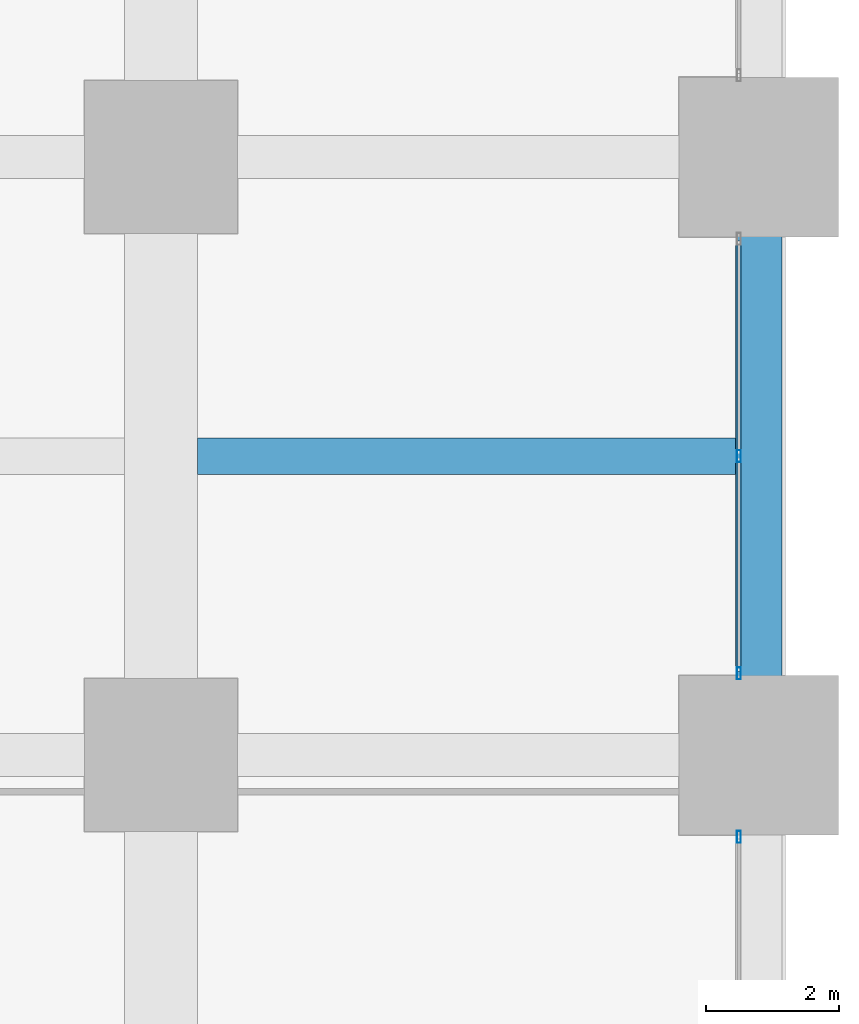
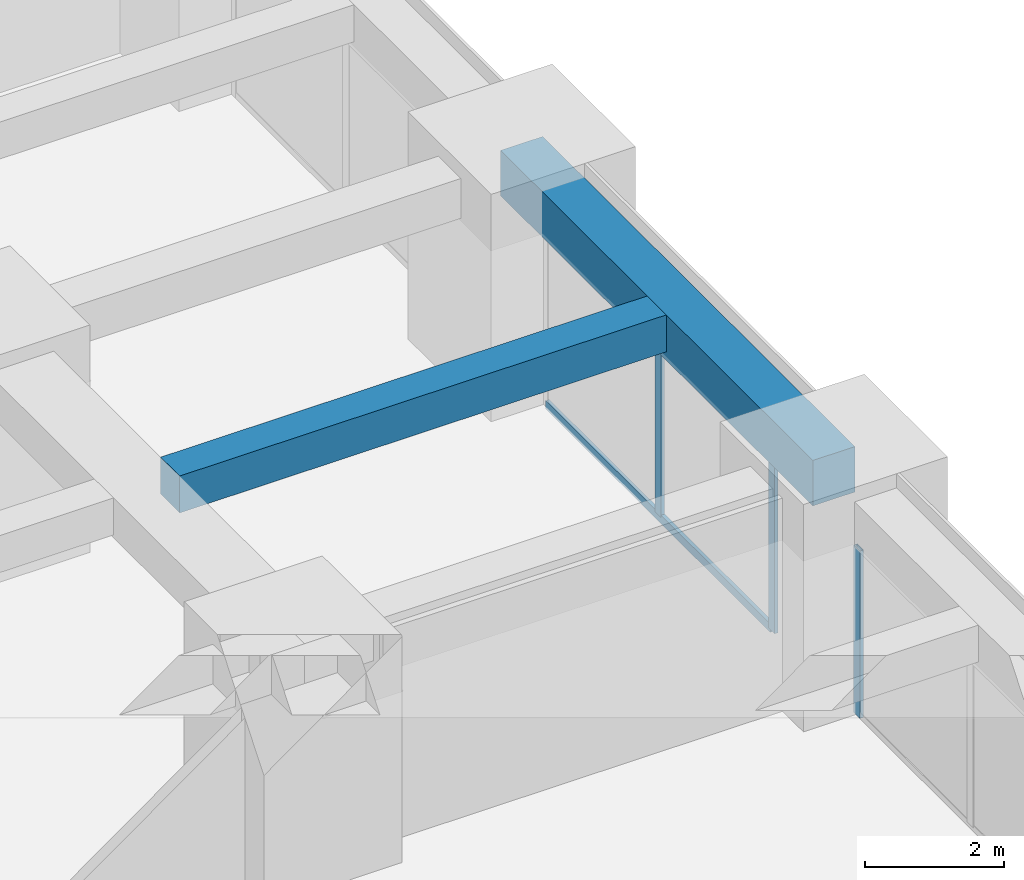
# One storey, part 20 of 44: 4 members, 2 beams, 2 elements without a shape of their own.
"""IFC4 building model written with IfcOpenShell, lengths in metres."""

from ifc_helpers import new_model, si_unit, direction, frame, origin, origin_2d, place, context, subcontext, project, spatial, rectangle, hollow_rectangle, extrude, material, material_profile, profile_set, type_object, element, aggregate, save


model = new_model("IFC4")

# Units and contexts
model_context = context("Model", 3, precision=1e-05, world=origin(), true_north=direction((0.0, 1.0)))
body_context = subcontext(model_context, "Body", "Model", "MODEL_VIEW")
ifc_project = project(units=[si_unit("LENGTHUNIT", "METRE"), si_unit("AREAUNIT", "SQUARE_METRE"), si_unit("VOLUMEUNIT", "CUBIC_METRE"), si_unit("PLANEANGLEUNIT", "RADIAN"), si_unit("MASSUNIT", "GRAM", prefix="KILO")], contexts=[model_context])

# Site, building, storey
site_placement = place(None, origin())
site = spatial("IfcSite", under=ifc_project, at=site_placement, CompositionType="ELEMENT")
building_placement = place(site_placement, origin())
building = spatial("IfcBuilding", under=site, at=building_placement, Name="Zorevar Civic Tower", CompositionType="ELEMENT")
storey_placement = place(building_placement, frame((0.0, 0.0, 31.800048828125)))
storey = spatial("IfcBuildingStorey", under=building, at=storey_placement, Name="L07", CompositionType="ELEMENT", Elevation=31.800048828125)

# Beam
ifc_material_1 = material(Name="Concrete C50/60", Category="concrete")
ifc_material_profile_1 = material_profile(ifc_material_1, rectangle(XDim=0.550048828125, YDim=0.64990234375, at=origin_2d()), Name="RC 550x650")
ifc_profile_set_1 = profile_set([ifc_material_profile_1], Name="Concrete C50/60")
beam_type_1 = type_object("IfcBeamType", Name="Beam RC 550x650", PredefinedType="BEAM", material=ifc_profile_set_1)
beam_1_placement = place(storey_placement, frame((54.550048828125, 22.5, 3.425048828125), z_axis=(1.0, 0.0, 0.0), x_axis=(0.0, 1.0, 0.0)))
element("IfcBeam", 1, at=beam_1_placement, inside=storey, type_object=beam_type_1, Name="Secondary beam L08", PredefinedType="BEAM", context=body_context, shape_type="SweptSolid", body=[
    extrude(rectangle(XDim=0.550048828125, YDim=0.64990234375, at=origin_2d()), origin(), (0.0, 0.0, 1.0), 8.099853515625),
])

# Curtain wall, member
ifc_material_2 = material(Name="Dark grey solar-control glass in black aluminium frame", Category="aluminium")
curtain_wall_type = type_object("IfcCurtainWallType", Name="Curtain wall CW2 low zone", PredefinedType="NOTDEFINED", material=ifc_material_2)
curtain_wall_1_placement = place(storey_placement, origin())
curtain_wall_1 = element("IfcCurtainWall", 2, at=curtain_wall_1_placement, inside=storey, type_object=curtain_wall_type, Name="CW2 L07", PredefinedType="NOTDEFINED")
ifc_material_3 = material(Name="Aluminium, black anodised", Category="aluminium")
ifc_material_profile_2 = material_profile(ifc_material_3, hollow_rectangle(XDim=0.06005859375, YDim=0.179931640625, WallThickness=0.00390625, at=origin_2d()), Name="AL 180x60x4")
ifc_profile_set_2 = profile_set([ifc_material_profile_2], Name="Aluminium, black anodised")
member_type_1 = type_object("IfcMemberType", Name="CW2 mullion AL 180x60x4", PredefinedType="MULLION", material=ifc_profile_set_2)
member_1_placement = place(storey_placement, frame((62.699951171875, 16.77001953125, 0.0), z_axis=(0.0, 0.0, 1.0), x_axis=(-1.0, 0.0, 0.0)))
member_1 = element("IfcMember", 3, at=member_1_placement, type_object=member_type_1, Name="CW2 mullion 3", PredefinedType="MULLION", context=body_context, shape_type="SweptSolid", body=[
    extrude(hollow_rectangle(XDim=0.06005859375, YDim=0.179931640625, WallThickness=0.00390625, at=origin_2d()), origin(), (0.0, 0.0, 1.0), 2.949951171875),
])
aggregate(curtain_wall_1, [member_1])

# Curtain wall, members
curtain_wall_2_placement = place(storey_placement, origin())
curtain_wall_2 = element("IfcCurtainWall", 4, at=curtain_wall_2_placement, inside=storey, type_object=curtain_wall_type, Name="CW2 L07", PredefinedType="NOTDEFINED")
member_2_placement = place(storey_placement, frame((62.699951171875, 19.22998046875, 0.0), z_axis=(0.0, 0.0, 1.0), x_axis=(-1.0, 0.0, 0.0)))
member_2 = element("IfcMember", 5, at=member_2_placement, type_object=member_type_1, Name="CW2 mullion 1", PredefinedType="MULLION", context=body_context, shape_type="SweptSolid", body=[
    extrude(hollow_rectangle(XDim=0.06005859375, YDim=0.179931640625, WallThickness=0.00390625, at=origin_2d()), origin(), (0.0, 0.0, 1.0), 2.949951171875),
])
member_3_placement = place(storey_placement, frame((62.699951171875, 22.5, 0.06005859375), z_axis=(0.0, 0.0, 1.0), x_axis=(-1.0, 0.0, 0.0)))
member_3 = element("IfcMember", 6, at=member_3_placement, type_object=member_type_1, Name="CW2 mullion 2", PredefinedType="MULLION", context=body_context, shape_type="SweptSolid", body=[
    extrude(hollow_rectangle(XDim=0.06005859375, YDim=0.179931640625, WallThickness=0.00390625, at=origin_2d()), origin(), (0.0, 0.0, 1.0), 2.889892578125),
])
ifc_material_4 = material(Name="Aluminium, black anodised", Category="aluminium")
ifc_material_profile_3 = material_profile(ifc_material_4, hollow_rectangle(XDim=0.06005859375, YDim=0.14990234375, WallThickness=0.00390625, at=origin_2d()), Name="AL 150x60x4")
ifc_profile_set_3 = profile_set([ifc_material_profile_3], Name="Aluminium, black anodised")
member_type_2 = type_object("IfcMemberType", Name="CW2 transom AL 150x60x4", PredefinedType="USERDEFINED", material=ifc_profile_set_3)
member_4_placement = place(storey_placement, frame((62.699951171875, 19.260009765625, 0.030029296875), z_axis=(0.0, 1.0, 0.0), x_axis=(-1.0, 0.0, 0.0)))
member_4 = element("IfcMember", 7, at=member_4_placement, type_object=member_type_2, Name="CW2 sill transom", ObjectType="TRANSOM", PredefinedType="USERDEFINED", context=body_context, shape_type="SweptSolid", body=[
    extrude(hollow_rectangle(XDim=0.06005859375, YDim=0.14990234375, WallThickness=0.00390625, at=origin_2d()), origin(), (0.0, 0.0, 1.0), 6.47998046875),
])
aggregate(curtain_wall_2, [member_2, member_3, member_4])

# Beam
ifc_material_5 = material(Name="Concrete C50/60", Category="concrete")
ifc_material_profile_4 = material_profile(ifc_material_5, rectangle(XDim=0.699951171875, YDim=0.800048828125, at=origin_2d()), Name="RC 700x800")
ifc_profile_set_4 = profile_set([ifc_material_profile_4], Name="Concrete C50/60")
beam_type_2 = type_object("IfcBeamType", Name="Edge beam RC 700x800", PredefinedType="SPANDREL", material=ifc_profile_set_4)
beam_2_placement = place(storey_placement, frame((63.0, 18.0, 3.349853515625), z_axis=(0.0, 1.0, 0.0), x_axis=(-1.0, 0.0, 0.0)))
element("IfcBeam", 8, at=beam_2_placement, inside=storey, type_object=beam_type_2, Name="Edge beam L08", PredefinedType="SPANDREL", context=body_context, shape_type="SweptSolid", body=[
    extrude(rectangle(XDim=0.699951171875, YDim=0.800048828125, at=origin_2d()), origin(), (0.0, 0.0, 1.0), 9.0),
])

save(model, "model.ifc")
